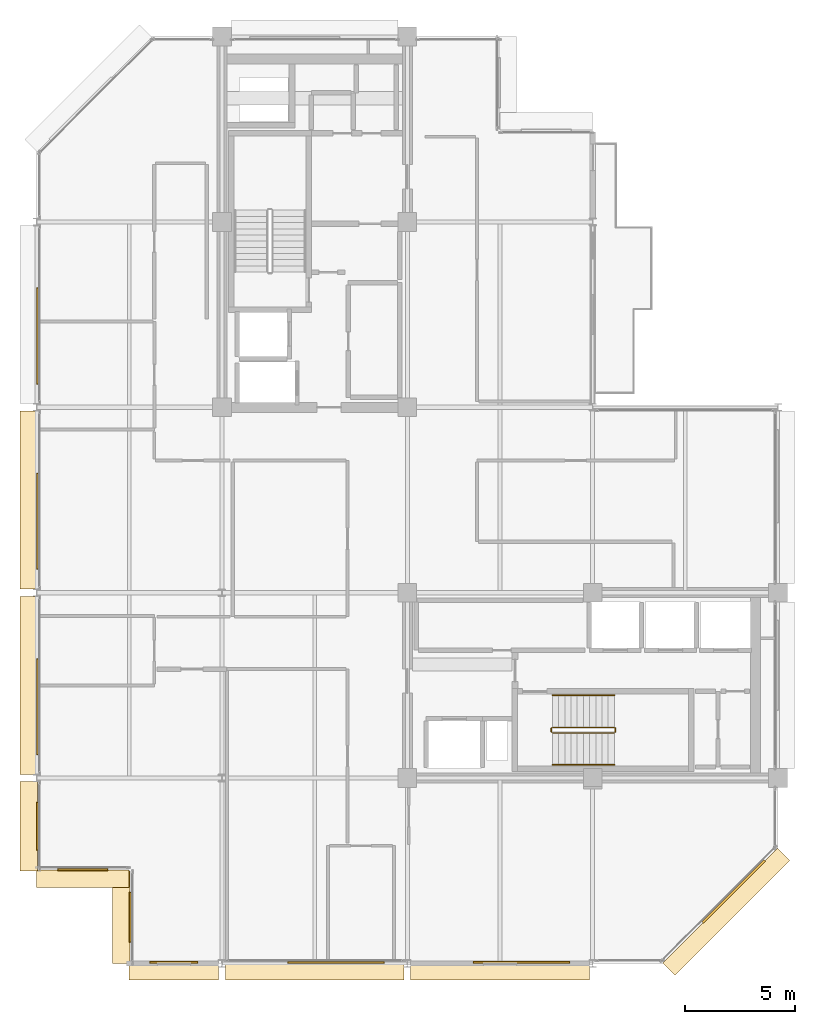
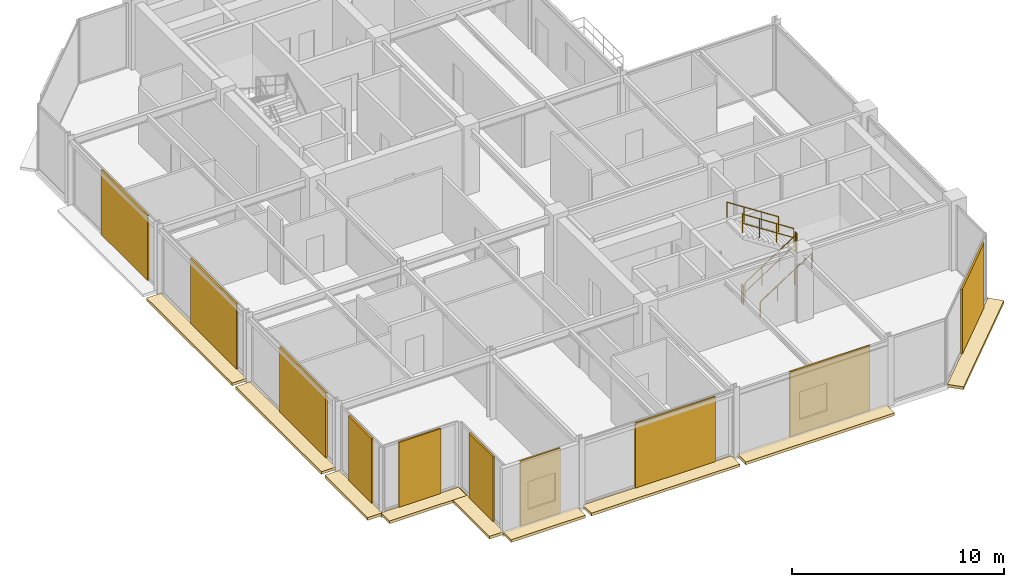
# One storey, part 23 of 25: 19 coverings, 6 railings.
"""IFC4 building model written with IfcOpenShell, lengths in metres."""

from ifc_helpers import new_model, si_unit, direction, frame, origin, origin_2d, place, context, subcontext, project, spatial, polyline, rectangle, circle, outline, extrude, material, layer, layer_set, type_object, element, save


model = new_model("IFC4")

# Units and contexts
model_context = context("Model", 3, precision=1e-05, world=origin(), true_north=direction((0.0, 1.0)))
body_context = subcontext(model_context, "Body", "Model", "MODEL_VIEW")
ifc_project = project(units=[si_unit("LENGTHUNIT", "METRE"), si_unit("AREAUNIT", "SQUARE_METRE"), si_unit("VOLUMEUNIT", "CUBIC_METRE"), si_unit("PLANEANGLEUNIT", "RADIAN"), si_unit("MASSUNIT", "GRAM", prefix="KILO")], contexts=[model_context])

# Site, building, storey
site_placement = place(None, origin())
site = spatial("IfcSite", under=ifc_project, at=site_placement, CompositionType="ELEMENT")
building_placement = place(site_placement, origin())
building = spatial("IfcBuilding", under=site, at=building_placement, Name="Nerrivon Quay Data Exchange", CompositionType="ELEMENT")
storey_placement = place(building_placement, frame((0.0, 0.0, 302.199951171875)))
storey = spatial("IfcBuildingStorey", under=building, at=storey_placement, Name="L72", CompositionType="ELEMENT", Elevation=302.199951171875)

# Coverings
ifc_material_1 = material(Name="Architectural terracotta ceramic", Category="masonry")
ifc_layer_1 = layer(ifc_material_1, 0.159912109375)
ifc_layer_set_1 = layer_set([ifc_layer_1], Name="Architectural terracotta ceramic")
covering_type_1 = type_object("IfcCoveringType", Name="COV-BLD-TERR", PredefinedType="CLADDING", material=ifc_layer_set_1)
covering_1_placement = place(storey_placement, frame((0.0, 0.0, -0.159912109375)))
element("IfcCovering", 1, at=covering_1_placement, inside=storey, type_object=covering_type_1, Name="L72 Horizontal Terracotta SOLAR SCREEN Blade", PredefinedType="CLADDING", context=body_context, shape_type="SweptSolid", body=[
    extrude(outline(polyline([(33.57177734375, 5.228271484375), (28.37158203125, 0.0283203125), (28.930419921875, -0.5302734375), (34.13037109375, 4.669677734375), (33.57177734375, 5.228271484375)])), origin(), (0.0, 0.0, 1.0), 0.159912109375),
])
covering_2_placement = place(storey_placement, frame((0.0, 0.0, -0.159912109375)))
element("IfcCovering", 2, at=covering_2_placement, inside=storey, type_object=covering_type_1, Name="L72 Horizontal Terracotta SOLAR SCREEN Blade", PredefinedType="CLADDING", context=body_context, shape_type="SweptSolid", body=[
    extrude(outline(polyline([(25.04443359375, 0.0400390625), (16.95556640625, 0.0400390625), (16.95556640625, -0.75), (25.04443359375, -0.75), (25.04443359375, 0.0400390625)])), origin(), (0.0, 0.0, 1.0), 0.159912109375),
])
covering_3_placement = place(storey_placement, frame((0.0, 0.0, -0.159912109375)))
element("IfcCovering", 3, at=covering_3_placement, inside=storey, type_object=covering_type_1, Name="L72 Horizontal Terracotta SOLAR SCREEN Blade", PredefinedType="CLADDING", context=body_context, shape_type="SweptSolid", body=[
    extrude(outline(polyline([(16.64453125, 0.0400390625), (8.555419921875, 0.0400390625), (8.555419921875, -0.75), (16.64453125, -0.75), (16.64453125, 0.0400390625)])), origin(), (0.0, 0.0, 1.0), 0.159912109375),
])
covering_4_placement = place(storey_placement, frame((0.0, 0.0, -0.159912109375)))
element("IfcCovering", 4, at=covering_4_placement, inside=storey, type_object=covering_type_1, Name="L72 Horizontal Terracotta SOLAR SCREEN Blade", PredefinedType="CLADDING", context=body_context, shape_type="SweptSolid", body=[
    extrude(outline(polyline([(8.244384765625, 0.0400390625), (4.199951171875, 0.0400390625), (4.199951171875, -0.75), (8.244384765625, -0.75), (8.244384765625, 0.0400390625)])), origin(), (0.0, 0.0, 1.0), 0.159912109375),
])
covering_5_placement = place(storey_placement, frame((0.0, 0.0, -0.159912109375)))
element("IfcCovering", 5, at=covering_5_placement, inside=storey, type_object=covering_type_1, Name="L72 Horizontal Terracotta SOLAR SCREEN Blade", PredefinedType="CLADDING", context=body_context, shape_type="SweptSolid", body=[
    extrude(outline(polyline([(4.239990234375, 0.0), (4.239990234375, 4.199951171875), (3.449951171875, 4.199951171875), (3.449951171875, 0.0), (4.239990234375, 0.0)])), origin(), (0.0, 0.0, 1.0), 0.159912109375),
])
covering_6_placement = place(storey_placement, frame((0.0, 0.0, -0.159912109375)))
element("IfcCovering", 6, at=covering_6_placement, inside=storey, type_object=covering_type_1, Name="L72 Horizontal Terracotta SOLAR SCREEN Blade", PredefinedType="CLADDING", context=body_context, shape_type="SweptSolid", body=[
    extrude(outline(polyline([(4.199951171875, 4.239990234375), (0.0, 4.239990234375), (0.0, 3.449951171875), (4.199951171875, 3.449951171875), (4.199951171875, 4.239990234375)])), origin(), (0.0, 0.0, 1.0), 0.159912109375),
])
covering_7_placement = place(storey_placement, frame((0.0, 0.0, -0.159912109375)))
element("IfcCovering", 7, at=covering_7_placement, inside=storey, type_object=covering_type_1, Name="L72 Horizontal Terracotta SOLAR SCREEN Blade", PredefinedType="CLADDING", context=body_context, shape_type="SweptSolid", body=[
    extrude(outline(polyline([(0.0400390625, 4.199951171875), (0.0400390625, 8.236572265625), (-0.75, 8.236572265625), (-0.75, 4.199951171875), (0.0400390625, 4.199951171875)])), origin(), (0.0, 0.0, 1.0), 0.159912109375),
])
covering_8_placement = place(storey_placement, frame((0.0, 0.0, -0.159912109375)))
element("IfcCovering", 8, at=covering_8_placement, inside=storey, type_object=covering_type_1, Name="L72 Horizontal Terracotta SOLAR SCREEN Blade", PredefinedType="CLADDING", context=body_context, shape_type="SweptSolid", body=[
    extrude(outline(polyline([(0.0400390625, 8.5634765625), (0.0400390625, 16.636474609375), (-0.75, 16.636474609375), (-0.75, 8.5634765625), (0.0400390625, 8.5634765625)])), origin(), (0.0, 0.0, 1.0), 0.159912109375),
])
covering_9_placement = place(storey_placement, frame((0.0, 0.0, -0.159912109375)))
element("IfcCovering", 9, at=covering_9_placement, inside=storey, type_object=covering_type_1, Name="L72 Horizontal Terracotta SOLAR SCREEN Blade", PredefinedType="CLADDING", context=body_context, shape_type="SweptSolid", body=[
    extrude(outline(polyline([(0.0400390625, 16.96337890625), (0.0400390625, 25.03662109375), (-0.75, 25.03662109375), (-0.75, 16.96337890625), (0.0400390625, 16.96337890625)])), origin(), (0.0, 0.0, 1.0), 0.159912109375),
])
ifc_layer_2 = layer(ifc_material_1, 0.090087890625)
ifc_layer_set_2 = layer_set([ifc_layer_2], Name="Architectural terracotta ceramic")
covering_type_2 = type_object("IfcCoveringType", Name="COV-SCR-TERR", PredefinedType="CLADDING", material=ifc_layer_set_2)
covering_10_placement = place(storey_placement, frame((31.59228515625, 3.255859375, 0.0), z_axis=(0.0, 0.0, 1.0), x_axis=(-0.707106781187, -0.707106781187, 0.0)))
element("IfcCovering", 10, at=covering_10_placement, inside=storey, type_object=covering_type_2, Name="L72 Perforated Terracotta SOLAR SCREEN Cassette", PredefinedType="CLADDING", context=body_context, shape_type="SweptSolid", body=[
    extrude(rectangle(XDim=3.970947265625, YDim=0.090087890625, at=origin_2d()), origin(), (0.0, 0.0, 1.0), 3.72509765625),
])
for number, where, z_axis, x_axis, name in (
    (11, (21.970703125, 0.044921875, 0.0), (0.0, 0.0, 1.0), (-1.0, 0.0, 0.0), "L72 Perforated Terracotta SOLAR SCREEN Cassette"),
    (12, (13.57080078125, 0.044921875, 0.0), (0.0, 0.0, 1.0), (-1.0, 0.0, 0.0), "L72 Perforated Terracotta SOLAR SCREEN Cassette"),
):
    element("IfcCovering", number, at=place(storey_placement, frame(where, z_axis=z_axis, x_axis=x_axis)), inside=storey, type_object=covering_type_2, Name=name, PredefinedType="CLADDING", context=body_context, shape_type="SweptSolid", body=[
        extrude(rectangle(XDim=4.367919921875, YDim=0.090087890625, at=origin_2d()), origin(), (0.0, 0.0, 1.0), 3.72509765625),
    ])
covering_11_placement = place(storey_placement, frame((6.222412109375, 0.044921875, 0.0), z_axis=(0.0, 0.0, 1.0), x_axis=(-1.0, 0.0, 0.0)))
element("IfcCovering", 13, at=covering_11_placement, inside=storey, type_object=covering_type_2, Name="L72 Perforated Terracotta SOLAR SCREEN Cassette", PredefinedType="CLADDING", context=body_context, shape_type="SweptSolid", body=[
    extrude(rectangle(XDim=2.18408203125, YDim=0.090087890625, at=origin_2d()), origin(), (0.0, 0.0, 1.0), 3.72509765625),
])
for number, where, z_axis, x_axis, name in (
    (14, (4.2451171875, 2.10009765625, 0.0), (0.0, 0.0, 1.0), (0.0, 1.0, 0.0), "L72 Perforated Terracotta SOLAR SCREEN Cassette"),
    (15, (2.10009765625, 4.2451171875, 0.0), (0.0, 0.0, 1.0), (-1.0, 0.0, 0.0), "L72 Perforated Terracotta SOLAR SCREEN Cassette"),
):
    element("IfcCovering", number, at=place(storey_placement, frame(where, z_axis=z_axis, x_axis=x_axis)), inside=storey, type_object=covering_type_2, Name=name, PredefinedType="CLADDING", context=body_context, shape_type="SweptSolid", body=[
        extrude(rectangle(XDim=2.26806640625, YDim=0.090087890625, at=origin_2d()), origin(), (0.0, 0.0, 1.0), 3.72509765625),
    ])
covering_12_placement = place(storey_placement, frame((0.044921875, 6.21826171875, 0.0), z_axis=(0.0, 0.0, 1.0), x_axis=(0.0, 1.0, 0.0)))
element("IfcCovering", 16, at=covering_12_placement, inside=storey, type_object=covering_type_2, Name="L72 Perforated Terracotta SOLAR SCREEN Cassette", PredefinedType="CLADDING", context=body_context, shape_type="SweptSolid", body=[
    extrude(rectangle(XDim=2.179931640625, YDim=0.090087890625, at=origin_2d()), origin(), (0.0, 0.0, 1.0), 3.72509765625),
])
for number, where, z_axis, x_axis, name in (
    (17, (0.044921875, 11.631103515625, 0.0), (0.0, 0.0, 1.0), (0.0, 1.0, 0.0), "L72 Perforated Terracotta SOLAR SCREEN Cassette"),
    (18, (0.044921875, 20.03125, 0.0), (0.0, 0.0, 1.0), (0.0, 1.0, 0.0), "L72 Perforated Terracotta SOLAR SCREEN Cassette"),
    (19, (0.044921875, 28.43115234375, 0.0), (0.0, 0.0, 1.0), (0.0, 1.0, 0.0), "L72 Perforated Terracotta SOLAR SCREEN Cassette"),
):
    element("IfcCovering", number, at=place(storey_placement, frame(where, z_axis=z_axis, x_axis=x_axis)), inside=storey, type_object=covering_type_2, Name=name, PredefinedType="CLADDING", context=body_context, shape_type="SweptSolid", body=[
        extrude(rectangle(XDim=4.35888671875, YDim=0.090087890625, at=origin_2d()), origin(), (0.0, 0.0, 1.0), 3.72509765625),
    ])

# Railings
ifc_material_2 = material(Name="Steel Grade C350L0 (350 MPa)", Category="steel")
railing_type_1 = type_object("IfcRailingType", Name="RAIL-HAND-HR1", PredefinedType="HANDRAIL", material=ifc_material_2)
railing_1_placement = place(storey_placement, frame((23.3798828125, 9.0, 0.181884765625)))
element("IfcRailing", 20, at=railing_1_placement, inside=storey, type_object=railing_type_1, Name="L72 ST02 stair handrail 1", PredefinedType="HANDRAIL", context=body_context, shape_type="SweptSolid", body=[
    extrude(circle(Radius=0.02392578125, at=origin_2d()), frame((0.0, 0.0, 0.8759765625), z_axis=(0.838705829183, 0.0, 0.544584733623), x_axis=(0.0, 1.0, 0.0)), (0.0, 0.0, 1.0), 3.338623046875),
    extrude(circle(Radius=0.02099609375, at=origin_2d()), origin(), (0.0, 0.0, 1.0), 0.851806640625),
    extrude(circle(Radius=0.02099609375, at=origin_2d()), frame((0.933349609375, 0.0, 0.60595703125)), (0.0, 0.0, 1.0), 0.851806640625),
    extrude(circle(Radius=0.02099609375, at=origin_2d()), frame((1.86669921875, 0.0, 1.212158203125)), (0.0, 0.0, 1.0), 0.851806640625),
    extrude(circle(Radius=0.02099609375, at=origin_2d()), frame((2.800048828125, 0.0, 1.818115234375)), (0.0, 0.0, 1.0), 0.851806640625),
])
railing_2_placement = place(storey_placement, frame((26.179931640625, 12.14990234375, 2.181884765625)))
element("IfcRailing", 21, at=railing_2_placement, inside=storey, type_object=railing_type_1, Name="L72 ST02 stair handrail 2", PredefinedType="HANDRAIL", context=body_context, shape_type="SweptSolid", body=[
    extrude(circle(Radius=0.02392578125, at=origin_2d()), frame((0.0, 0.0, 0.8759765625), z_axis=(-0.838705829183, 0.0, 0.544584733623), x_axis=(0.0, -1.0, 0.0)), (0.0, 0.0, 1.0), 3.338623046875),
    extrude(circle(Radius=0.02099609375, at=origin_2d()), origin(), (0.0, 0.0, 1.0), 0.851806640625),
    extrude(circle(Radius=0.02099609375, at=origin_2d()), frame((-0.933349609375, 0.0, 0.60595703125)), (0.0, 0.0, 1.0), 0.851806640625),
    extrude(circle(Radius=0.02099609375, at=origin_2d()), frame((-1.86669921875, 0.0, 1.212158203125)), (0.0, 0.0, 1.0), 0.851806640625),
    extrude(circle(Radius=0.02099609375, at=origin_2d()), frame((-2.800048828125, 0.0, 1.818115234375)), (0.0, 0.0, 1.0), 0.851806640625),
])
railing_type_2 = type_object("IfcRailingType", Name="RAIL-STAIR-GR1", PredefinedType="BALUSTRADE", material=ifc_material_2)
railing_3_placement = place(storey_placement, frame((23.3798828125, 10.449951171875, 0.181884765625)))
element("IfcRailing", 22, at=railing_3_placement, inside=storey, type_object=railing_type_2, Name="L72 ST02 stair guard 1", PredefinedType="BALUSTRADE", context=body_context, shape_type="SweptSolid", body=[
    extrude(circle(Radius=0.02392578125, at=origin_2d()), frame((0.0, 0.0, 1.076171875), z_axis=(0.838705829183, 0.0, 0.544584733623), x_axis=(0.0, 1.0, 0.0)), (0.0, 0.0, 1.0), 3.338623046875),
    extrude(circle(Radius=0.02392578125, at=origin_2d()), frame((0.0, 0.0, 0.550048828125), z_axis=(0.838705829183, 0.0, 0.544584733623), x_axis=(0.0, 1.0, 0.0)), (0.0, 0.0, 1.0), 3.338623046875),
    extrude(circle(Radius=0.02099609375, at=origin_2d()), origin(), (0.0, 0.0, 1.0), 1.052001953125),
    extrude(circle(Radius=0.02099609375, at=origin_2d()), frame((0.933349609375, 0.0, 0.60595703125)), (0.0, 0.0, 1.0), 1.052001953125),
    extrude(circle(Radius=0.02099609375, at=origin_2d()), frame((1.86669921875, 0.0, 1.212158203125)), (0.0, 0.0, 1.0), 1.052001953125),
    extrude(circle(Radius=0.02099609375, at=origin_2d()), frame((2.800048828125, 0.0, 1.818115234375)), (0.0, 0.0, 1.0), 1.052001953125),
])
railing_4_placement = place(storey_placement, frame((26.22998046875, 10.5, 2.0)))
element("IfcRailing", 23, at=railing_4_placement, inside=storey, type_object=railing_type_2, Name="L72 ST02 stair guard 2", PredefinedType="BALUSTRADE", context=body_context, shape_type="SweptSolid", body=[
    extrude(circle(Radius=0.02392578125, at=origin_2d()), frame((0.0, 0.0, 1.076171875), z_axis=(0.0, 1.0, 0.0), x_axis=(-1.0, 0.0, 0.0)), (0.0, 0.0, 1.0), 0.14990234375),
    extrude(circle(Radius=0.02392578125, at=origin_2d()), frame((0.0, 0.0, 0.550048828125), z_axis=(0.0, 1.0, 0.0), x_axis=(-1.0, 0.0, 0.0)), (0.0, 0.0, 1.0), 0.14990234375),
    extrude(circle(Radius=0.02099609375, at=origin_2d()), origin(), (0.0, 0.0, 1.0), 1.052001953125),
    extrude(circle(Radius=0.02099609375, at=origin_2d()), frame((0.0, 0.14990234375, 0.0)), (0.0, 0.0, 1.0), 1.052001953125),
])
railing_5_placement = place(storey_placement, frame((26.179931640625, 10.699951171875, 2.181884765625)))
element("IfcRailing", 24, at=railing_5_placement, inside=storey, type_object=railing_type_2, Name="L72 ST02 stair guard 3", PredefinedType="BALUSTRADE", context=body_context, shape_type="SweptSolid", body=[
    extrude(circle(Radius=0.02392578125, at=origin_2d()), frame((0.0, 0.0, 1.076171875), z_axis=(-0.838705829183, 0.0, 0.544584733623), x_axis=(0.0, -1.0, 0.0)), (0.0, 0.0, 1.0), 3.338623046875),
    extrude(circle(Radius=0.02392578125, at=origin_2d()), frame((0.0, 0.0, 0.550048828125), z_axis=(-0.838705829183, 0.0, 0.544584733623), x_axis=(0.0, -1.0, 0.0)), (0.0, 0.0, 1.0), 3.338623046875),
    extrude(circle(Radius=0.02099609375, at=origin_2d()), origin(), (0.0, 0.0, 1.0), 1.052001953125),
    extrude(circle(Radius=0.02099609375, at=origin_2d()), frame((-0.933349609375, 0.0, 0.60595703125)), (0.0, 0.0, 1.0), 1.052001953125),
    extrude(circle(Radius=0.02099609375, at=origin_2d()), frame((-1.86669921875, 0.0, 1.212158203125)), (0.0, 0.0, 1.0), 1.052001953125),
    extrude(circle(Radius=0.02099609375, at=origin_2d()), frame((-2.800048828125, 0.0, 1.818115234375)), (0.0, 0.0, 1.0), 1.052001953125),
])
railing_6_placement = place(storey_placement, frame((23.330078125, 10.5, 0.0)))
element("IfcRailing", 25, at=railing_6_placement, inside=storey, type_object=railing_type_2, Name="L72 ST02 stair guard 4", PredefinedType="BALUSTRADE", context=body_context, shape_type="SweptSolid", body=[
    extrude(circle(Radius=0.02392578125, at=origin_2d()), frame((0.0, 0.0, 1.076171875), z_axis=(0.0, 1.0, 0.0), x_axis=(-1.0, 0.0, 0.0)), (0.0, 0.0, 1.0), 0.14990234375),
    extrude(circle(Radius=0.02392578125, at=origin_2d()), frame((0.0, 0.0, 0.550048828125), z_axis=(0.0, 1.0, 0.0), x_axis=(-1.0, 0.0, 0.0)), (0.0, 0.0, 1.0), 0.14990234375),
    extrude(circle(Radius=0.02099609375, at=origin_2d()), origin(), (0.0, 0.0, 1.0), 1.052001953125),
    extrude(circle(Radius=0.02099609375, at=origin_2d()), frame((0.0, 0.14990234375, 0.0)), (0.0, 0.0, 1.0), 1.052001953125),
])

save(model, "model.ifc")
